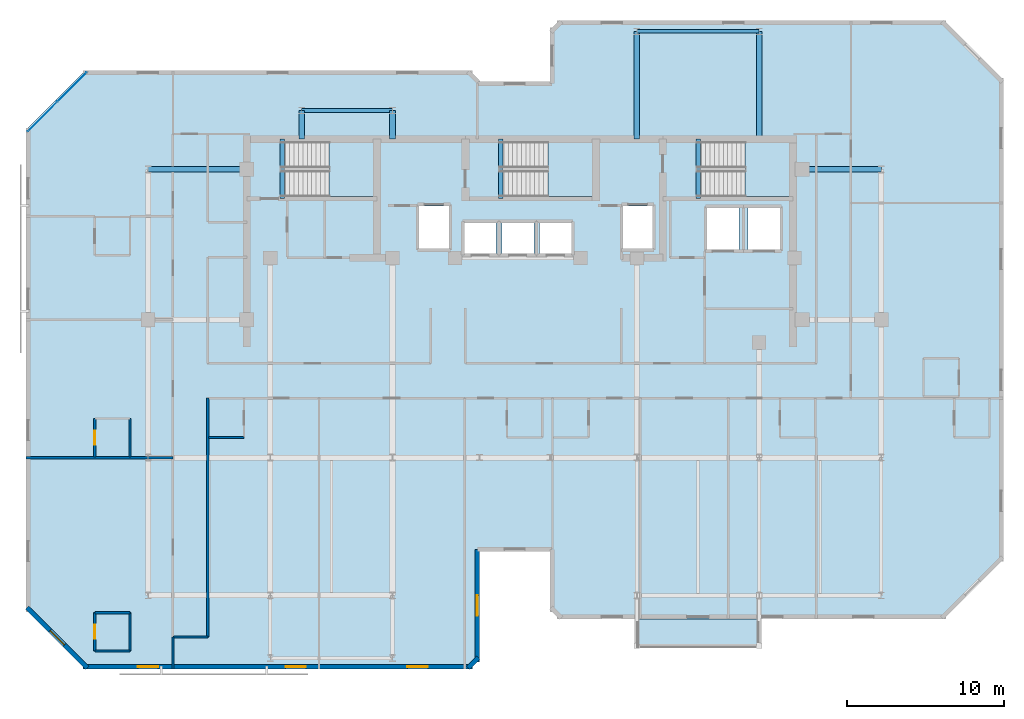
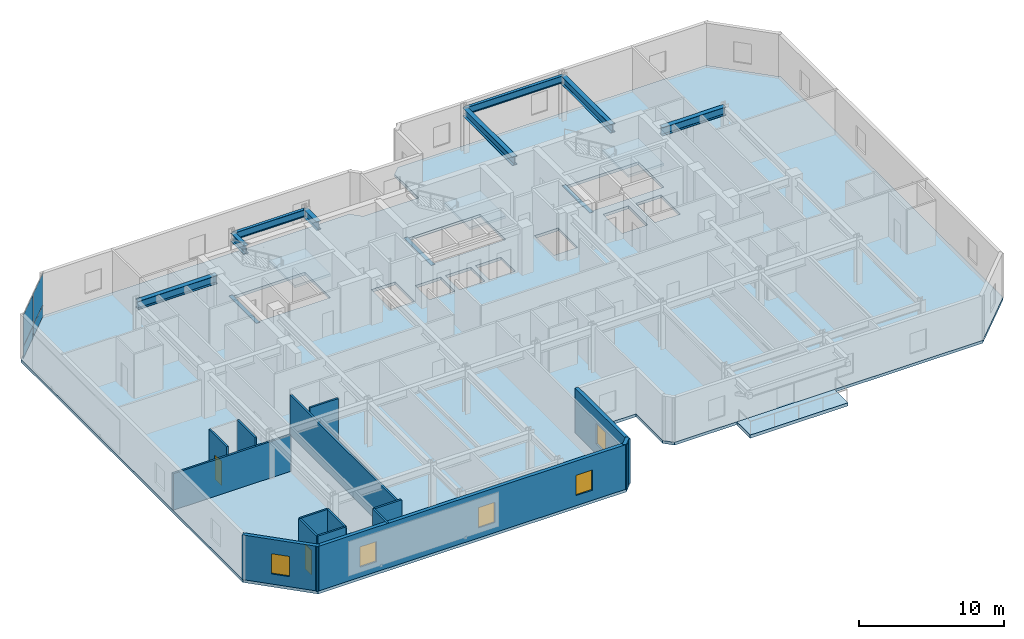
# One storey, part 3 of 10: 15 walls, 11 beams, 5 slabs, 5 windows, 4 plates, 2 doors, 7 openings, 4 elements without a shape of their own.
"""IFC4 building model written with IfcOpenShell, lengths in metres."""

from ifc_helpers import new_model, si_unit, direction, frame, frame_2d, origin, origin_2d, place, context, subcontext, project, spatial, polyline, rectangle, i_section, outline, extrude, material, layer, layer_set, material_profile, profile_set, type_object, element, fill, aggregate, save


model = new_model("IFC4")

# Units and contexts
model_context = context("Model", 3, precision=1e-05, world=origin(), true_north=direction((0.0, 1.0)))
body_context = subcontext(model_context, "Body", "Model", "MODEL_VIEW")
ifc_project = project(units=[si_unit("LENGTHUNIT", "METRE"), si_unit("AREAUNIT", "SQUARE_METRE"), si_unit("VOLUMEUNIT", "CUBIC_METRE"), si_unit("PLANEANGLEUNIT", "RADIAN"), si_unit("MASSUNIT", "GRAM", prefix="KILO")], contexts=[model_context])

# Site, building, storey
site_placement = place(None, origin())
site = spatial("IfcSite", under=ifc_project, at=site_placement, CompositionType="ELEMENT")
building_placement = place(site_placement, origin())
building = spatial("IfcBuilding", under=site, at=building_placement, Name="Kestravale Grand Hotel", CompositionType="ELEMENT")
storey_placement = place(building_placement, frame((0.0, 0.0, 285.39990234375)))
storey = spatial("IfcBuildingStorey", under=building, at=storey_placement, Name="L71", CompositionType="ELEMENT", Elevation=285.39990234375)

# Beams
ifc_material_1 = material(Name="Concrete f'c 45 MPa", Category="concrete")
ifc_material_profile_1 = material_profile(ifc_material_1, rectangle(XDim=0.300048828125, YDim=0.39990234375, at=origin_2d()))
ifc_profile_set_1 = profile_set([ifc_material_profile_1], Name="Concrete f'c 45 MPa")
beam_type_1 = type_object("IfcBeamType", Name="B-FLR-LNT400", PredefinedType="LINTEL", material=ifc_profile_set_1)
for number, where, z_axis, x_axis, name in (
    (1, (24.159912109375, 36.52001953125, -0.199951171875), (0.0, 1.0, 0.0), (-1.0, 0.0, 0.0), "L71 ST1 flight bottom header beam"),
    (2, (38.110107421875, 36.52001953125, -0.199951171875), (0.0, 1.0, 0.0), (-1.0, 0.0, 0.0), "L71 ST2 flight bottom header beam"),
    (3, (50.7099609375, 36.52001953125, -0.199951171875), (0.0, 1.0, 0.0), (-1.0, 0.0, 0.0), "L71 ST3 flight bottom header beam"),
):
    element("IfcBeam", number, at=place(storey_placement, frame(where, z_axis=z_axis, x_axis=x_axis)), inside=storey, type_object=beam_type_1, Name=name, PredefinedType="LINTEL", context=body_context, shape_type="SweptSolid", body=[
        extrude(rectangle(XDim=0.300048828125, YDim=0.39990234375, at=origin_2d()), origin(), (0.0, 0.0, 1.0), 3.800048828125),
    ])
ifc_material_2 = material(Name="Steel ASTM A992 Grade 50", Category="steel")
ifc_material_profile_2 = material_profile(ifc_material_2, i_section(OverallWidth=0.22900390625, OverallDepth=0.612060546875, WebThickness=0.011962890625, FlangeThickness=0.01953125, FilletRadius=0.019287109375, at=origin_2d()))
ifc_profile_set_2 = profile_set([ifc_material_profile_2], Name="Steel ASTM A992 Grade 50")
beam_type_2 = type_object("IfcBeamType", Name="B-FLR-W24B", PredefinedType="SPANDREL", material=ifc_profile_set_2)
beam_1_placement = place(storey_placement, frame((46.800048828125, 47.199951171875, 3.4541015625), z_axis=(1.0, 0.0, 0.0), x_axis=(0.0, 1.0, 0.0)))
element("IfcBeam", 4, at=beam_1_placement, inside=storey, type_object=beam_type_2, Name="L71 spandrel G:8-9", PredefinedType="SPANDREL", context=body_context, shape_type="SweptSolid", body=[
    extrude(i_section(OverallWidth=0.22900390625, OverallDepth=0.612060546875, WebThickness=0.011962890625, FlangeThickness=0.01953125, FilletRadius=0.019287109375, at=origin_2d()), origin(), (0.0, 0.0, 1.0), 7.800048828125),
])
beam_2_placement = place(storey_placement, frame((25.39990234375, 42.14990234375, 3.4541015625), z_axis=(1.0, 0.0, 0.0), x_axis=(0.0, 1.0, 0.0)))
element("IfcBeam", 5, at=beam_2_placement, inside=storey, type_object=beam_type_2, Name="L71 perimeter tie spandrel FN:4-5", PredefinedType="SPANDREL", context=body_context, shape_type="SweptSolid", body=[
    extrude(i_section(OverallWidth=0.22900390625, OverallDepth=0.612060546875, WebThickness=0.011962890625, FlangeThickness=0.01953125, FilletRadius=0.019287109375, at=origin_2d()), origin(), (0.0, 0.0, 1.0), 5.800048828125),
])
ifc_material_3 = material(Name="Steel ASTM A992 Grade 50", Category="steel")
ifc_material_profile_3 = material_profile(ifc_material_3, i_section(OverallWidth=0.35595703125, OverallDepth=0.696044921875, WebThickness=0.015380859375, FlangeThickness=0.02490234375, FilletRadius=0.021240234375, at=origin_2d()))
ifc_profile_set_3 = profile_set([ifc_material_profile_3], Name="Steel ASTM A992 Grade 50")
beam_type_3 = type_object("IfcBeamType", Name="B-GRD-W27", PredefinedType="BEAM", material=ifc_profile_set_3)
beam_3_placement = place(storey_placement, frame((15.60009765625, 38.39990234375, 3.412109375), z_axis=(1.0, 0.0, 0.0), x_axis=(0.0, 1.0, 0.0)))
element("IfcBeam", 6, at=beam_3_placement, inside=storey, type_object=beam_type_3, Name="L71 girder F:3-CW", PredefinedType="BEAM", context=body_context, shape_type="SweptSolid", body=[
    extrude(i_section(OverallWidth=0.35595703125, OverallDepth=0.696044921875, WebThickness=0.015380859375, FlangeThickness=0.02490234375, FilletRadius=0.021240234375, at=origin_2d()), origin(), (0.0, 0.0, 1.0), 6.2998046875),
])
beam_4_placement = place(storey_placement, frame((57.35009765625, 38.39990234375, 3.412109375), z_axis=(1.0, 0.0, 0.0), x_axis=(0.0, 1.0, 0.0)))
element("IfcBeam", 7, at=beam_4_placement, inside=storey, type_object=beam_type_3, Name="L71 girder F:CE-10", PredefinedType="BEAM", context=body_context, shape_type="SweptSolid", body=[
    extrude(i_section(OverallWidth=0.35595703125, OverallDepth=0.696044921875, WebThickness=0.015380859375, FlangeThickness=0.02490234375, FilletRadius=0.021240234375, at=origin_2d()), origin(), (0.0, 0.0, 1.0), 5.0498046875),
])
for number, where, z_axis, x_axis, name in (
    (8, (25.39990234375, 40.320068359375, 3.412109375), (0.0, 1.0, 0.0), (-1.0, 0.0, 0.0), "L71 north wing tie girder 4:CN-FN"),
    (9, (31.199951171875, 40.320068359375, 3.412109375), (0.0, 1.0, 0.0), (-1.0, 0.0, 0.0), "L71 north wing tie girder 5:CN-FN"),
):
    element("IfcBeam", number, at=place(storey_placement, frame(where, z_axis=z_axis, x_axis=x_axis)), inside=storey, type_object=beam_type_3, Name=name, PredefinedType="BEAM", context=body_context, shape_type="SweptSolid", body=[
        extrude(i_section(OverallWidth=0.35595703125, OverallDepth=0.696044921875, WebThickness=0.015380859375, FlangeThickness=0.02490234375, FilletRadius=0.021240234375, at=origin_2d()), origin(), (0.0, 0.0, 1.0), 1.829833984375),
    ])
for number, where, z_axis, x_axis, name in (
    (10, (46.800048828125, 40.320068359375, 3.412109375), (0.0, 1.0, 0.0), (-1.0, 0.0, 0.0), "L71 north wing tie girder 8:CN-G"),
    (11, (54.60009765625, 40.320068359375, 3.412109375), (0.0, 1.0, 0.0), (-1.0, 0.0, 0.0), "L71 north wing tie girder 9:CN-G"),
):
    element("IfcBeam", number, at=place(storey_placement, frame(where, z_axis=z_axis, x_axis=x_axis)), inside=storey, type_object=beam_type_3, Name=name, PredefinedType="BEAM", context=body_context, shape_type="SweptSolid", body=[
        extrude(i_section(OverallWidth=0.35595703125, OverallDepth=0.696044921875, WebThickness=0.015380859375, FlangeThickness=0.02490234375, FilletRadius=0.021240234375, at=origin_2d()), origin(), (0.0, 0.0, 1.0), 6.8798828125),
    ])

# Curtain wall, plates
ifc_material_4 = material(Name="Thermally broken champagne-bronze aluminium and low-E glazing", Category="aluminium")
ifc_layer_1 = layer(ifc_material_4, 0.179931640625)
ifc_layer_set_1 = layer_set([ifc_layer_1], Name="CW-Z4")
curtain_wall_type = type_object("IfcCurtainWallType", Name="CW-Z4", PredefinedType="NOTDEFINED", material=ifc_layer_set_1)
curtain_wall_placement = place(storey_placement, origin())
curtain_wall = element("IfcCurtainWall", 12, at=curtain_wall_placement, inside=storey, type_object=curtain_wall_type, Name="L71 unitised curtain wall 18", PredefinedType="NOTDEFINED")
ifc_material_5 = material(Name="Insulated clear low-E double glazing IGU", Category="glass")
ifc_layer_2 = layer(ifc_material_5, 0.028076171875)
ifc_layer_set_2 = layer_set([ifc_layer_2], Name="CW-PNL-28")
plate_type = type_object("IfcPlateType", Name="CW-PNL-28", PredefinedType="CURTAIN_PANEL", material=ifc_layer_set_2)
plate_1_placement = place(storey_placement, frame((10.74462890625, 43.646728515625, 0.06494140625), z_axis=(0.0, 0.0, 1.0), x_axis=(-0.707106781187, -0.707106781187, 0.0)))
plate_1 = element("IfcPlate", 13, at=plate_1_placement, type_object=plate_type, Name="CW-Z4 panel 1.1", PredefinedType="CURTAIN_PANEL", context=body_context, shape_type="SweptSolid", body=[
    extrude(rectangle(XDim=2.609619140625, YDim=0.028076171875, at=origin_2d()), origin(), (0.0, 0.0, 1.0), 0.952392578125),
])
plate_2_placement = place(storey_placement, frame((10.74462890625, 43.646728515625, 1.08251953125), z_axis=(0.0, 0.0, 1.0), x_axis=(-0.707106781187, -0.707106781187, 0.0)))
plate_2 = element("IfcPlate", 14, at=plate_2_placement, type_object=plate_type, Name="CW-Z4 panel 1.2", PredefinedType="CURTAIN_PANEL", context=body_context, shape_type="SweptSolid", body=[
    extrude(rectangle(XDim=2.609619140625, YDim=0.028076171875, at=origin_2d()), origin(), (0.0, 0.0, 1.0), 2.612548828125),
])
plate_3_placement = place(storey_placement, frame((8.853271484375, 41.75537109375, 0.06494140625), z_axis=(0.0, 0.0, 1.0), x_axis=(-0.707106781187, -0.707106781187, 0.0)))
plate_3 = element("IfcPlate", 15, at=plate_3_placement, type_object=plate_type, Name="CW-Z4 panel 2.1", PredefinedType="CURTAIN_PANEL", context=body_context, shape_type="SweptSolid", body=[
    extrude(rectangle(XDim=2.609619140625, YDim=0.028076171875, at=origin_2d()), origin(), (0.0, 0.0, 1.0), 0.952392578125),
])
plate_4_placement = place(storey_placement, frame((8.853271484375, 41.75537109375, 1.08251953125), z_axis=(0.0, 0.0, 1.0), x_axis=(-0.707106781187, -0.707106781187, 0.0)))
plate_4 = element("IfcPlate", 16, at=plate_4_placement, type_object=plate_type, Name="CW-Z4 panel 2.2", PredefinedType="CURTAIN_PANEL", context=body_context, shape_type="SweptSolid", body=[
    extrude(rectangle(XDim=2.609619140625, YDim=0.028076171875, at=origin_2d()), origin(), (0.0, 0.0, 1.0), 2.612548828125),
])
aggregate(curtain_wall, [plate_1, plate_2, plate_3, plate_4])

# Slab
ifc_material_6 = material(Name="Concrete f'c 45 MPa", Category="concrete")
ifc_layer_3 = layer(ifc_material_6, 0.27001953125)
ifc_layer_set_3 = layer_set([ifc_layer_3], Name="ES-TERR-270")
slab_type_1 = type_object("IfcSlabType", Name="ES-TERR-270", PredefinedType="FLOOR", material=ifc_layer_set_3)
slab_1_placement = place(storey_placement, frame((0.0, 0.0, -0.27001953125)))
element("IfcSlab", 17, at=slab_1_placement, inside=storey, type_object=slab_type_1, Name="L71 spiralling planted garden terrace", PredefinedType="FLOOR", context=body_context, shape_type="SweptSolid", body=[
    extrude(outline(polyline([(46.800048828125, 7.85009765625), (54.60009765625, 7.85009765625), (54.60009765625, 9.699951171875), (46.800048828125, 9.699951171875), (46.800048828125, 7.85009765625)])), origin(), (0.0, 0.0, 1.0), 0.27001953125),
])

# Stair, slab
ifc_material_7 = material(Name="Concrete f'c 45 MPa", Category="concrete")
stair_type = type_object("IfcStairType", Name="ST-CORE-400", PredefinedType="HALF_TURN_STAIR", material=ifc_material_7)
stair_1_placement = place(storey_placement, origin())
stair_1 = element("IfcStair", 18, at=stair_1_placement, inside=storey, type_object=stair_type, Name="L71 ST-1", PredefinedType="HALF_TURN_STAIR")
ifc_material_8 = material(Name="Concrete f'c 45 MPa", Category="concrete")
ifc_layer_4 = layer(ifc_material_8, 0.199951171875)
ifc_layer_set_4 = layer_set([ifc_layer_4], Name="SLB-ST-LND200")
slab_type_2 = type_object("IfcSlabType", Name="SLB-ST-LND200", PredefinedType="LANDING", material=ifc_layer_set_4)
slab_2_placement = place(storey_placement, frame((0.0, 0.0, 1.800048828125)))
slab_2 = element("IfcSlab", 19, at=slab_2_placement, type_object=slab_type_2, Name="ST-1 landing 1", PredefinedType="LANDING", context=body_context, shape_type="SweptSolid", body=[
    extrude(outline(polyline([(27.159912109375, 36.64990234375), (30.0, 36.64990234375), (30.0, 40.159912109375), (27.159912109375, 40.159912109375), (27.159912109375, 36.64990234375)])), origin(), (0.0, 0.0, 1.0), 0.199951171875),
])
aggregate(stair_1, [slab_2])

stair_2_placement = place(storey_placement, origin())
stair_2 = element("IfcStair", 20, at=stair_2_placement, inside=storey, type_object=stair_type, Name="L71 ST-2", PredefinedType="HALF_TURN_STAIR")
slab_3_placement = place(storey_placement, frame((0.0, 0.0, 1.800048828125)))
slab_3 = element("IfcSlab", 21, at=slab_3_placement, type_object=slab_type_2, Name="ST-2 landing 1", PredefinedType="LANDING", context=body_context, shape_type="SweptSolid", body=[
    extrude(outline(polyline([(41.110107421875, 36.64990234375), (43.949951171875, 36.64990234375), (43.949951171875, 40.159912109375), (41.110107421875, 40.159912109375), (41.110107421875, 36.64990234375)])), origin(), (0.0, 0.0, 1.0), 0.199951171875),
])
aggregate(stair_2, [slab_3])

stair_3_placement = place(storey_placement, origin())
stair_3 = element("IfcStair", 22, at=stair_3_placement, inside=storey, type_object=stair_type, Name="L71 ST-3", PredefinedType="HALF_TURN_STAIR")
slab_4_placement = place(storey_placement, frame((0.0, 0.0, 1.800048828125)))
slab_4 = element("IfcSlab", 23, at=slab_4_placement, type_object=slab_type_2, Name="ST-3 landing 1", PredefinedType="LANDING", context=body_context, shape_type="SweptSolid", body=[
    extrude(outline(polyline([(53.7099609375, 36.64990234375), (56.550048828125, 36.64990234375), (56.550048828125, 40.159912109375), (53.7099609375, 40.159912109375), (53.7099609375, 36.64990234375)])), origin(), (0.0, 0.0, 1.0), 0.199951171875),
])
aggregate(stair_3, [slab_4])

# Slab
ifc_material_9 = material(Name="Concrete f'c 45 MPa", Category="concrete")
ifc_layer_5 = layer(ifc_material_9, 0.239990234375)
ifc_layer_set_5 = layer_set([ifc_layer_5], Name="SS-FLR-240")
slab_type_3 = type_object("IfcSlabType", Name="SS-FLR-240", PredefinedType="FLOOR", material=ifc_layer_set_5)
slab_5_placement = place(storey_placement, frame((0.0, 0.0, -0.239990234375)))
element("IfcSlab", 24, at=slab_5_placement, inside=storey, type_object=slab_type_3, Name="L71 structural floor slab", PredefinedType="FLOOR", context=body_context, shape_type="SweptSolid", body=[
    extrude(outline(polyline([(11.60009765625, 6.5), (36.14990234375, 6.5), (36.75, 7.10009765625), (36.75, 14.0), (41.25, 14.0), (41.25, 10.300048828125), (41.85009765625, 9.699951171875), (66.39990234375, 9.699951171875), (70.199951171875, 13.5), (70.199951171875, 44.10009765625), (66.39990234375, 47.89990234375), (41.85009765625, 47.89990234375), (41.25, 47.300048828125), (41.25, 44.0), (36.75, 44.0), (36.75, 44.10009765625), (36.14990234375, 44.699951171875), (11.60009765625, 44.699951171875), (7.800048828125, 40.89990234375), (7.800048828125, 10.300048828125), (11.60009765625, 6.5)]), holes=[polyline([(24.080078125, 36.64990234375), (30.0, 36.64990234375), (30.0, 40.159912109375), (24.080078125, 40.159912109375), (24.080078125, 36.64990234375)]), polyline([(38.030029296875, 36.64990234375), (43.949951171875, 36.64990234375), (43.949951171875, 40.159912109375), (38.030029296875, 40.159912109375), (38.030029296875, 36.64990234375)]), polyline([(50.6298828125, 36.64990234375), (56.550048828125, 36.64990234375), (56.550048828125, 40.159912109375), (50.6298828125, 40.159912109375), (50.6298828125, 36.64990234375)]), polyline([(35.780029296875, 33.030029296875), (37.820068359375, 33.030029296875), (37.820068359375, 34.969970703125), (35.780029296875, 34.969970703125), (35.780029296875, 33.030029296875)]), polyline([(38.179931640625, 33.030029296875), (40.219970703125, 33.030029296875), (40.219970703125, 34.969970703125), (38.179931640625, 34.969970703125), (38.179931640625, 33.030029296875)]), polyline([(40.580078125, 33.030029296875), (42.6201171875, 33.030029296875), (42.6201171875, 34.969970703125), (40.580078125, 34.969970703125), (40.580078125, 33.030029296875)]), polyline([(32.905029296875, 33.35498046875), (34.794921875, 33.35498046875), (34.794921875, 36.044921875), (32.905029296875, 36.044921875), (32.905029296875, 33.35498046875)]), polyline([(45.905029296875, 33.35498046875), (47.794921875, 33.35498046875), (47.794921875, 36.044921875), (45.905029296875, 36.044921875), (45.905029296875, 33.35498046875)]), polyline([(51.280029296875, 33.280029296875), (53.320068359375, 33.280029296875), (53.320068359375, 35.919921875), (51.280029296875, 35.919921875), (51.280029296875, 33.280029296875)]), polyline([(53.8798828125, 33.280029296875), (55.919921875, 33.280029296875), (55.919921875, 35.919921875), (53.8798828125, 35.919921875), (53.8798828125, 33.280029296875)])]), origin(), (0.0, 0.0, 1.0), 0.239990234375),
])

# Wall, openings, windows
ifc_material_10 = material(Name="Precast concrete f'c 45 MPa", Category="concrete")
ifc_layer_6 = layer(ifc_material_10, 0.280029296875)
ifc_layer_set_6 = layer_set([ifc_layer_6], Name="EW-PREC-280")
wall_type_1 = type_object("IfcWallType", Name="EW-PREC-280", PredefinedType="SOLIDWALL", material=ifc_layer_set_6)
wall_1_placement = place(storey_placement, frame((11.4599609375, 6.639892578125, 0.0), z_axis=(0.0, 0.0, 1.0), x_axis=(1.0, 0.0, 0.0)))
wall_1 = element("IfcWall", 25, at=wall_1_placement, inside=storey, type_object=wall_type_1, Name="L71 fluted precast facade wall 1", PredefinedType="SOLIDWALL", context=body_context, shape_type="SweptSolid", body=[
    extrude(rectangle(XDim=24.830078125, YDim=0.280029296875, at=frame_2d((12.4150390625, 0.0))), origin(), (0.0, 0.0, 1.0), 3.760009765625),
])
opening_1_placement = place(wall_1_placement, frame((3.48828125, 0.0, 0.85009765625)))
opening_1 = element("IfcOpeningElement", 26, at=opening_1_placement, cuts=wall_1, Name="Opening W-GUEST-1300", PredefinedType="OPENING", context=body_context, shape_type="SweptSolid", body=[
    extrude(rectangle(XDim=1.300048828125, YDim=1.699951171875, at=frame_2d((0.64990234375, 0.85009765625))), frame((0.0, 0.14990234375, 0.0), z_axis=(0.0, -1.0, 0.0), x_axis=(1.0, 0.0, 0.0)), (0.0, 0.0, 1.0), 0.300048828125),
])
opening_2_placement = place(wall_1_placement, frame((12.9150390625, 0.0, 0.85009765625)))
opening_2 = element("IfcOpeningElement", 27, at=opening_2_placement, cuts=wall_1, Name="Opening W-GUEST-1300", PredefinedType="OPENING", context=body_context, shape_type="SweptSolid", body=[
    extrude(rectangle(XDim=1.300048828125, YDim=1.699951171875, at=frame_2d((0.64990234375, 0.85009765625))), frame((0.0, 0.14990234375, 0.0), z_axis=(0.0, -1.0, 0.0), x_axis=(1.0, 0.0, 0.0)), (0.0, 0.0, 1.0), 0.300048828125),
])
opening_3_placement = place(wall_1_placement, frame((20.691650390625, 0.0, 0.85009765625)))
opening_3 = element("IfcOpeningElement", 28, at=opening_3_placement, cuts=wall_1, Name="Opening W-GUEST-1300", PredefinedType="OPENING", context=body_context, shape_type="SweptSolid", body=[
    extrude(rectangle(XDim=1.300048828125, YDim=1.699951171875, at=frame_2d((0.64990234375, 0.85009765625))), frame((0.0, 0.14990234375, 0.0), z_axis=(0.0, -1.0, 0.0), x_axis=(1.0, 0.0, 0.0)), (0.0, 0.0, 1.0), 0.300048828125),
])
ifc_material_11 = material(Name="Insulated low-E double glazing in aluminium frame", Category="aluminium")
window_type = type_object("IfcWindowType", Name="W-GUEST-1300", PartitioningType="SINGLE_PANEL", PredefinedType="WINDOW", material=ifc_material_11)
window_1_placement = place(opening_1_placement, origin())
window_1 = element("IfcWindow", 29, at=window_1_placement, inside=storey, type_object=window_type, Name="L71 exterior window 1.1", OverallHeight=1.699951171875, OverallWidth=1.300048828125, PartitioningType="SINGLE_PANEL", PredefinedType="WINDOW", context=body_context, shape_type="SweptSolid", body=[
    extrude(rectangle(XDim=1.300048828125, YDim=1.699951171875, at=frame_2d((0.64990234375, 0.85009765625))), frame((0.0, 0.030029296875, 0.0), z_axis=(0.0, -1.0, 0.0), x_axis=(1.0, 0.0, 0.0)), (0.0, 0.0, 1.0), 0.06005859375),
])
fill(opening_1, window_1)
window_2_placement = place(opening_2_placement, origin())
window_2 = element("IfcWindow", 30, at=window_2_placement, inside=storey, type_object=window_type, Name="L71 exterior window 1.2", OverallHeight=1.699951171875, OverallWidth=1.300048828125, PartitioningType="SINGLE_PANEL", PredefinedType="WINDOW", context=body_context, shape_type="SweptSolid", body=[
    extrude(rectangle(XDim=1.300048828125, YDim=1.699951171875, at=frame_2d((0.64990234375, 0.85009765625))), frame((0.0, 0.030029296875, 0.0), z_axis=(0.0, -1.0, 0.0), x_axis=(1.0, 0.0, 0.0)), (0.0, 0.0, 1.0), 0.06005859375),
])
fill(opening_2, window_2)
window_3_placement = place(opening_3_placement, origin())
window_3 = element("IfcWindow", 31, at=window_3_placement, inside=storey, type_object=window_type, Name="L71 exterior window 1.3", OverallHeight=1.699951171875, OverallWidth=1.300048828125, PartitioningType="SINGLE_PANEL", PredefinedType="WINDOW", context=body_context, shape_type="SweptSolid", body=[
    extrude(rectangle(XDim=1.300048828125, YDim=1.699951171875, at=frame_2d((0.64990234375, 0.85009765625))), frame((0.0, 0.030029296875, 0.0), z_axis=(0.0, -1.0, 0.0), x_axis=(1.0, 0.0, 0.0)), (0.0, 0.0, 1.0), 0.06005859375),
])
fill(opening_3, window_3)

# Wall
wall_2_placement = place(storey_placement, frame((36.022705078125, 6.57080078125, 0.0), z_axis=(0.0, 0.0, 1.0), x_axis=(0.707106781187, 0.707106781187, 0.0)))
element("IfcWall", 32, at=wall_2_placement, inside=storey, type_object=wall_type_1, Name="L71 fluted precast facade wall 2", PredefinedType="SOLIDWALL", context=body_context, shape_type="SweptSolid", body=[
    extrude(rectangle(XDim=0.928466796875, YDim=0.280029296875, at=frame_2d((0.46435546875, 0.0))), origin(), (0.0, 0.0, 1.0), 3.760009765625),
])

# Wall, opening, window
wall_3_placement = place(storey_placement, frame((36.610107421875, 6.9599609375, 0.0), z_axis=(0.0, 0.0, 1.0), x_axis=(0.0, 1.0, 0.0)))
wall_3 = element("IfcWall", 33, at=wall_3_placement, inside=storey, type_object=wall_type_1, Name="L71 fluted precast facade wall 3", PredefinedType="SOLIDWALL", context=body_context, shape_type="SweptSolid", body=[
    extrude(rectangle(XDim=7.179931640625, YDim=0.280029296875, at=frame_2d((3.58984375, 0.0))), origin(), (0.0, 0.0, 1.0), 3.760009765625),
])
opening_4_placement = place(wall_3_placement, frame((2.93994140625, 0.0, 0.85009765625)))
opening_4 = element("IfcOpeningElement", 34, at=opening_4_placement, cuts=wall_3, Name="Opening W-GUEST-1300", PredefinedType="OPENING", context=body_context, shape_type="SweptSolid", body=[
    extrude(rectangle(XDim=1.300048828125, YDim=1.699951171875, at=frame_2d((0.64990234375, 0.85009765625))), frame((0.0, 0.14990234375, 0.0), z_axis=(0.0, -1.0, 0.0), x_axis=(1.0, 0.0, 0.0)), (0.0, 0.0, 1.0), 0.300048828125),
])
window_4_placement = place(opening_4_placement, origin())
window_4 = element("IfcWindow", 35, at=window_4_placement, inside=storey, type_object=window_type, Name="L71 exterior window 3.1", OverallHeight=1.699951171875, OverallWidth=1.300048828125, PartitioningType="SINGLE_PANEL", PredefinedType="WINDOW", context=body_context, shape_type="SweptSolid", body=[
    extrude(rectangle(XDim=1.300048828125, YDim=1.699951171875, at=frame_2d((0.64990234375, 0.85009765625))), frame((0.0, 0.030029296875, 0.0), z_axis=(0.0, -1.0, 0.0), x_axis=(1.0, 0.0, 0.0)), (0.0, 0.0, 1.0), 0.06005859375),
])
fill(opening_4, window_4)

wall_4_placement = place(storey_placement, frame((7.87060546875, 10.42724609375, 0.0), z_axis=(0.0, 0.0, 1.0), x_axis=(0.707129162587, -0.707084399077, 0.0)))
wall_4 = element("IfcWall", 36, at=wall_4_placement, inside=storey, type_object=wall_type_1, Name="L71 fluted precast facade wall 20", PredefinedType="SOLIDWALL", context=body_context, shape_type="SweptSolid", body=[
    extrude(rectangle(XDim=5.4541015625, YDim=0.280029296875, at=frame_2d((2.72705078125, 0.0))), origin(), (0.0, 0.0, 1.0), 3.760009765625),
])
opening_5_placement = place(wall_4_placement, frame((2.076904296875, 0.0, 0.85009765625)))
opening_5 = element("IfcOpeningElement", 37, at=opening_5_placement, cuts=wall_4, Name="Opening W-GUEST-1300", PredefinedType="OPENING", context=body_context, shape_type="SweptSolid", body=[
    extrude(rectangle(XDim=1.300048828125, YDim=1.699951171875, at=frame_2d((0.64990234375, 0.85009765625))), frame((0.0, 0.14990234375, 0.0), z_axis=(0.0, -1.0, 0.0), x_axis=(1.0, 0.0, 0.0)), (0.0, 0.0, 1.0), 0.300048828125),
])
window_5_placement = place(opening_5_placement, origin())
window_5 = element("IfcWindow", 38, at=window_5_placement, inside=storey, type_object=window_type, Name="L71 exterior window 20.1", OverallHeight=1.699951171875, OverallWidth=1.300048828125, PartitioningType="SINGLE_PANEL", PredefinedType="WINDOW", context=body_context, shape_type="SweptSolid", body=[
    extrude(rectangle(XDim=1.300048828125, YDim=1.699951171875, at=frame_2d((0.64990234375, 0.85009765625))), frame((0.0, 0.030029296875, 0.0), z_axis=(0.0, -1.0, 0.0), x_axis=(1.0, 0.0, 0.0)), (0.0, 0.0, 1.0), 0.06005859375),
])
fill(opening_5, window_5)

# Walls
ifc_material_12 = material(Name="Acoustic fire-rated gypsum board partition", Category="other")
ifc_layer_7 = layer(ifc_material_12, 0.159912109375)
ifc_layer_set_7 = layer_set([ifc_layer_7], Name="IW-CORR-160")
wall_type_2 = type_object("IfcWallType", Name="IW-CORR-160", PredefinedType="PARTITIONING", material=ifc_layer_set_7)
wall_5_placement = place(storey_placement, frame((19.409912109375, 8.550048828125, 0.0), z_axis=(0.0, 0.0, 1.0), x_axis=(0.0, 1.0, 0.0)))
element("IfcWall", 39, at=wall_5_placement, inside=storey, type_object=wall_type_2, Name="W-L71-SW-E", PredefinedType="PARTITIONING", context=body_context, shape_type="SweptSolid", body=[
    extrude(rectangle(XDim=15.239990234375, YDim=0.159912109375, at=frame_2d((7.6201171875, 0.0))), origin(), (0.0, 0.0, 1.0), 3.356201171875),
])
ifc_material_13 = material(Name="Moisture-resistant tile-backer plumbing chase wall", Category="other")
ifc_layer_8 = layer(ifc_material_13, 0.139892578125)
ifc_layer_set_8 = layer_set([ifc_layer_8], Name="IW-PLB-140")
wall_type_3 = type_object("IfcWallType", Name="IW-PLB-140", PredefinedType="PLUMBINGWALL", material=ifc_layer_set_8)
wall_6_placement = place(storey_placement, frame((19.469970703125, 21.280029296875, 0.0), z_axis=(0.0, 0.0, 1.0), x_axis=(1.0, 0.0, 0.0)))
element("IfcWall", 40, at=wall_6_placement, inside=storey, type_object=wall_type_3, Name="W-L71-U01-BS", PredefinedType="PLUMBINGWALL", context=body_context, shape_type="SweptSolid", body=[
    extrude(rectangle(XDim=2.25, YDim=0.139892578125, at=frame_2d((1.125, 0.0))), origin(), (0.0, 0.0, 1.0), 3.760009765625),
])

# Wall, opening, door
wall_7_placement = place(storey_placement, frame((12.199951171875, 7.64990234375, 0.0), z_axis=(0.0, 0.0, 1.0), x_axis=(0.0, 1.0, 0.0)))
wall_7 = element("IfcWall", 41, at=wall_7_placement, inside=storey, type_object=wall_type_3, Name="W-L71-U05-BW", PredefinedType="PLUMBINGWALL", context=body_context, shape_type="SweptSolid", body=[
    extrude(rectangle(XDim=2.4501953125, YDim=0.139892578125, at=frame_2d((1.22509765625, 0.0))), origin(), (0.0, 0.0, 1.0), 3.760009765625),
])
opening_6_placement = place(wall_7_placement, frame((0.784912109375, 0.0, 0.0)))
opening_6 = element("IfcOpeningElement", 42, at=opening_6_placement, cuts=wall_7, Name="Opening D-BATH-880", PredefinedType="OPENING", context=body_context, shape_type="SweptSolid", body=[
    extrude(rectangle(XDim=0.8798828125, YDim=2.050048828125, at=frame_2d((0.43994140625, 1.02490234375))), frame((0.0, 0.079833984375, 0.0), z_axis=(0.0, -1.0, 0.0), x_axis=(1.0, 0.0, 0.0)), (0.0, 0.0, 1.0), 0.159912109375),
])
ifc_material_14 = material(Name="Moisture-sealed walnut en-suite bathroom door", Category="wood")
door_type = type_object("IfcDoorType", Name="D-BATH-880", OperationType="NOTDEFINED", PredefinedType="DOOR", material=ifc_material_14)
door_1_placement = place(opening_6_placement, origin())
door_1 = element("IfcDoor", 43, at=door_1_placement, inside=storey, type_object=door_type, Name="D-L71-U05-BATH", OperationType="SINGLE_SWING_RIGHT", OverallHeight=2.050048828125, OverallWidth=0.8798828125, PredefinedType="DOOR", context=body_context, shape_type="SweptSolid", body=[
    extrude(rectangle(XDim=0.8798828125, YDim=2.050048828125, at=frame_2d((0.43994140625, 1.02490234375))), frame((0.0, 0.02490234375, 0.0), z_axis=(0.0, -1.0, 0.0), x_axis=(1.0, 0.0, 0.0)), (0.0, 0.0, 1.0), 0.050048828125),
])
fill(opening_6, door_1)

# Walls
wall_8_placement = place(storey_placement, frame((14.449951171875, 7.64990234375, 0.0), z_axis=(0.0, 0.0, 1.0), x_axis=(0.0, 1.0, 0.0)))
element("IfcWall", 44, at=wall_8_placement, inside=storey, type_object=wall_type_3, Name="W-L71-U05-BE", PredefinedType="PLUMBINGWALL", context=body_context, shape_type="SweptSolid", body=[
    extrude(rectangle(XDim=2.4501953125, YDim=0.139892578125, at=frame_2d((1.22509765625, 0.0))), origin(), (0.0, 0.0, 1.0), 3.760009765625),
])
for number, where, z_axis, x_axis, name in (
    (45, (12.199951171875, 7.64990234375, 0.0), (0.0, 0.0, 1.0), (1.0, 0.0, 0.0), "W-L71-U05-BS"),
    (46, (12.199951171875, 10.10009765625, 0.0), (0.0, 0.0, 1.0), (1.0, 0.0, 0.0), "W-L71-U05-BN"),
):
    element("IfcWall", number, at=place(storey_placement, frame(where, z_axis=z_axis, x_axis=x_axis)), inside=storey, type_object=wall_type_3, Name=name, PredefinedType="PLUMBINGWALL", context=body_context, shape_type="SweptSolid", body=[
        extrude(rectangle(XDim=2.25, YDim=0.139892578125, at=frame_2d((1.125, 0.0))), origin(), (0.0, 0.0, 1.0), 3.760009765625),
    ])

# Wall, opening, door
wall_9_placement = place(storey_placement, frame((12.199951171875, 20.0400390625, 0.0), z_axis=(0.0, 0.0, 1.0), x_axis=(0.0, 1.0, 0.0)))
wall_9 = element("IfcWall", 47, at=wall_9_placement, inside=storey, type_object=wall_type_3, Name="W-L71-U06-BW", PredefinedType="PLUMBINGWALL", context=body_context, shape_type="SweptSolid", body=[
    extrude(rectangle(XDim=2.449951171875, YDim=0.139892578125, at=frame_2d((1.22509765625, 0.0))), origin(), (0.0, 0.0, 1.0), 3.760009765625),
])
opening_7_placement = place(wall_9_placement, frame((0.784912109375, 0.0, 0.0)))
opening_7 = element("IfcOpeningElement", 48, at=opening_7_placement, cuts=wall_9, Name="Opening D-BATH-880", PredefinedType="OPENING", context=body_context, shape_type="SweptSolid", body=[
    extrude(rectangle(XDim=0.8798828125, YDim=2.050048828125, at=frame_2d((0.43994140625, 1.02490234375))), frame((0.0, 0.079833984375, 0.0), z_axis=(0.0, -1.0, 0.0), x_axis=(1.0, 0.0, 0.0)), (0.0, 0.0, 1.0), 0.159912109375),
])
door_2_placement = place(opening_7_placement, origin())
door_2 = element("IfcDoor", 49, at=door_2_placement, inside=storey, type_object=door_type, Name="D-L71-U06-BATH", OperationType="SINGLE_SWING_RIGHT", OverallHeight=2.050048828125, OverallWidth=0.8798828125, PredefinedType="DOOR", context=body_context, shape_type="SweptSolid", body=[
    extrude(rectangle(XDim=0.8798828125, YDim=2.050048828125, at=frame_2d((0.43994140625, 1.02490234375))), frame((0.0, 0.02490234375, 0.0), z_axis=(0.0, -1.0, 0.0), x_axis=(1.0, 0.0, 0.0)), (0.0, 0.0, 1.0), 0.050048828125),
])
fill(opening_7, door_2)

# Walls
wall_10_placement = place(storey_placement, frame((14.449951171875, 20.0400390625, 0.0), z_axis=(0.0, 0.0, 1.0), x_axis=(0.0, 1.0, 0.0)))
element("IfcWall", 50, at=wall_10_placement, inside=storey, type_object=wall_type_3, Name="W-L71-U06-BE", PredefinedType="PLUMBINGWALL", context=body_context, shape_type="SweptSolid", body=[
    extrude(rectangle(XDim=2.449951171875, YDim=0.139892578125, at=frame_2d((1.22509765625, 0.0))), origin(), (0.0, 0.0, 1.0), 3.760009765625),
])
ifc_material_15 = material(Name="Double-stud STC 52 acoustic demising partition", Category="other")
ifc_layer_9 = layer(ifc_material_15, 0.14990234375)
ifc_layer_set_9 = layer_set([ifc_layer_9], Name="IW-UNIT-150")
wall_type_4 = type_object("IfcWallType", Name="IW-UNIT-150", PredefinedType="PARTITIONING", material=ifc_layer_set_9)
wall_11_placement = place(storey_placement, frame((17.18994140625, 8.550048828125, 0.0), z_axis=(0.0, 0.0, 1.0), x_axis=(1.0, 0.0, 0.0)))
element("IfcWall", 51, at=wall_11_placement, inside=storey, type_object=wall_type_4, Name="W-L71-SW-S", PredefinedType="PARTITIONING", context=body_context, shape_type="SweptSolid", body=[
    extrude(rectangle(XDim=2.219970703125, YDim=0.14990234375, at=frame_2d((1.10986328125, 0.0))), origin(), (0.0, 0.0, 1.0), 3.760009765625),
])
wall_12_placement = place(storey_placement, frame((17.18994140625, 6.52001953125, 0.0), z_axis=(0.0, 0.0, 1.0), x_axis=(0.0, 1.0, 0.0)))
element("IfcWall", 52, at=wall_12_placement, inside=storey, type_object=wall_type_4, Name="W-L71-SW-EXT", PredefinedType="PARTITIONING", context=body_context, shape_type="SweptSolid", body=[
    extrude(rectangle(XDim=2.030029296875, YDim=0.14990234375, at=frame_2d((1.01513671875, 0.0))), origin(), (0.0, 0.0, 1.0), 3.760009765625),
])
wall_13_placement = place(storey_placement, frame((7.820068359375, 20.0, 0.0), z_axis=(0.0, 0.0, 1.0), x_axis=(1.0, 0.0, 0.0)))
element("IfcWall", 53, at=wall_13_placement, inside=storey, type_object=wall_type_4, Name="W-L71-WW-1", PredefinedType="PARTITIONING", context=body_context, shape_type="SweptSolid", body=[
    extrude(rectangle(XDim=9.369873046875, YDim=0.14990234375, at=frame_2d((4.68505859375, 0.0))), origin(), (0.0, 0.0, 1.0), 3.064208984375),
])

save(model, "model.ifc")
